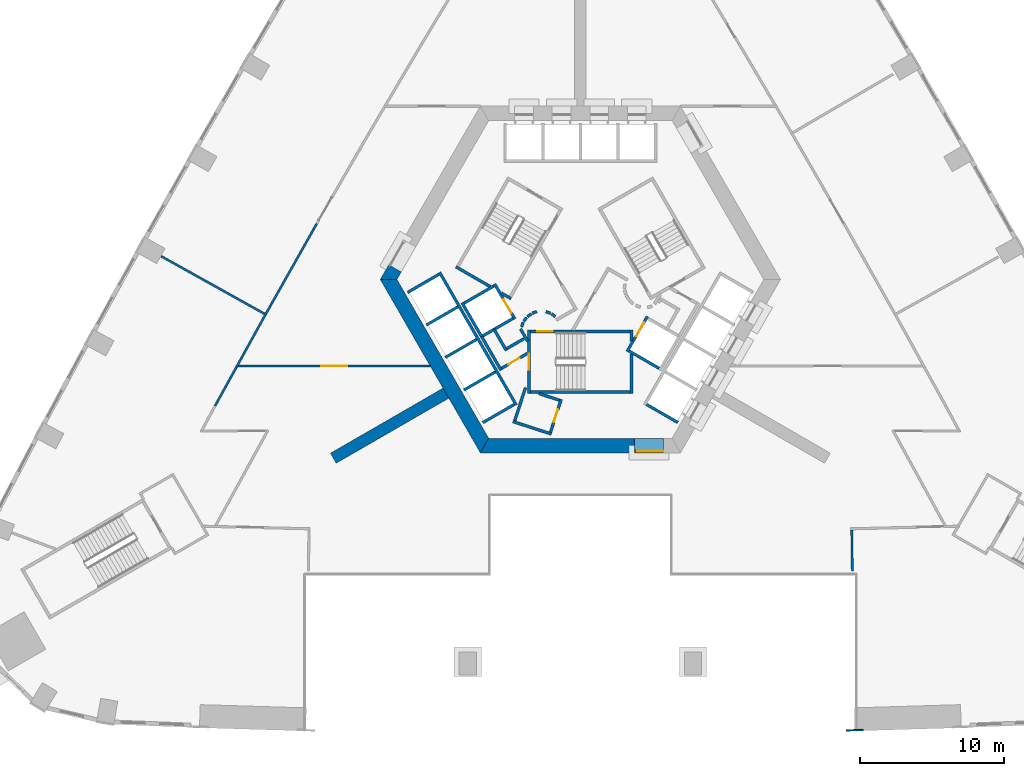
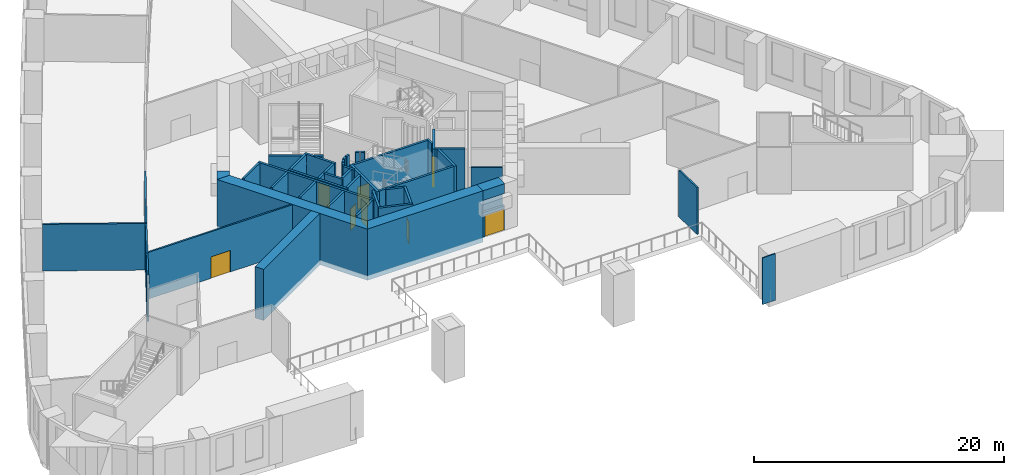
# One storey, part 3 of 16: 48 walls, 8 doors, 8 openings.
"""IFC4 building model written with IfcOpenShell, lengths in metres."""

from ifc_helpers import new_model, si_unit, direction, frame, frame_2d, origin, place, context, subcontext, project, spatial, polyline, rectangle, outline, extrude, material, layer, layer_set, type_object, element, fill, save


model = new_model("IFC4")

# Units and contexts
model_context = context("Model", 3, precision=1e-05, world=origin(), true_north=direction((0.0, 1.0)))
body_context = subcontext(model_context, "Body", "Model", "MODEL_VIEW")
ifc_project = project(units=[si_unit("LENGTHUNIT", "METRE"), si_unit("AREAUNIT", "SQUARE_METRE"), si_unit("VOLUMEUNIT", "CUBIC_METRE"), si_unit("PLANEANGLEUNIT", "RADIAN"), si_unit("MASSUNIT", "GRAM", prefix="KILO")], contexts=[model_context])

# Site, building, storey
site_placement = place(None, origin())
site = spatial("IfcSite", under=ifc_project, at=site_placement, CompositionType="ELEMENT")
building_placement = place(site_placement, origin())
building = spatial("IfcBuilding", under=site, at=building_placement, Name="Entoto Arch Interchange Tower", CompositionType="ELEMENT")
storey_placement = place(building_placement, frame((0.0, 0.0, 25.0)))
storey = spatial("IfcBuildingStorey", under=building, at=storey_placement, Name="L04", CompositionType="ELEMENT", Elevation=25.0)

# Wall
ifc_material_1 = material(Name="Concrete C60/75", Category="concrete")
ifc_layer_1 = layer(ifc_material_1, 0.800048828125)
ifc_layer_set_1 = layer_set([ifc_layer_1], Name="Concrete C60/75")
wall_type_1 = type_object("IfcWallType", Name="Buttress wall 800 C60/75", PredefinedType="SHEAR", material=ifc_layer_set_1)
wall_1_placement = place(storey_placement, frame((-9.31005859375, -5.375, -0.449951171875), z_axis=(0.0, 0.0, 1.0), x_axis=(-0.866017533419, -0.500013631625, 0.0)))
element("IfcWall", 1, at=wall_1_placement, inside=storey, type_object=wall_type_1, Name="Buttress wall SW L04", PredefinedType="SHEAR", context=body_context, shape_type="SweptSolid", body=[
    extrude(rectangle(XDim=8.999755859375, YDim=0.800048828125, at=frame_2d((4.5, 0.0))), origin(), (0.0, 0.0, 1.0), 5.0),
])

# Wall, opening, door
ifc_material_2 = material(Name="Reinforced concrete C40/50", Category="concrete")
ifc_layer_2 = layer(ifc_material_2, 0.199951171875)
ifc_layer_set_2 = layer_set([ifc_layer_2], Name="Reinforced concrete C40/50")
wall_type_2 = type_object("IfcWallType", Name="CORE GAP INFILL WALL", PredefinedType="PARTITIONING", material=ifc_layer_set_2)
wall_2_placement = place(storey_placement, frame((3.75, -9.39990234375, 0.0), z_axis=(0.0, 0.0, 1.0), x_axis=(1.0, 0.0, 0.0)))
wall_2 = element("IfcWall", 2, at=wall_2_placement, inside=storey, type_object=wall_type_2, Name="wall:L04:gap1", PredefinedType="PARTITIONING", context=body_context, shape_type="SweptSolid", body=[
    extrude(rectangle(XDim=2.0, YDim=0.199951171875, at=frame_2d((1.0, 0.0))), origin(), (0.0, 0.0, 1.0), 2.39990234375),
])
opening_1_placement = place(wall_2_placement, frame((0.18994140625, 0.0, 0.0)))
opening_1 = element("IfcOpeningElement", 3, at=opening_1_placement, cuts=wall_2, Name="Opening L04-D91", PredefinedType="OPENING", context=body_context, shape_type="SweptSolid", body=[
    extrude(rectangle(XDim=1.800048828125, YDim=2.10009765625, at=frame_2d((0.89990234375, 1.050048828125))), frame((0.0, 0.10986328125, 0.0), z_axis=(0.0, -1.0, 0.0), x_axis=(1.0, 0.0, 0.0)), (0.0, 0.0, 1.0), 0.219970703125),
])
ifc_material_3 = material(Name="Fire-rated Steel S235 door and frame", Category="steel")
door_type_1 = type_object("IfcDoorType", Name="DOOR FD-18 1800x2100", OperationType="DOUBLE_DOOR_SINGLE_SWING", PredefinedType="DOOR", material=ifc_material_3)
door_1_placement = place(opening_1_placement, origin())
door_1 = element("IfcDoor", 4, at=door_1_placement, inside=storey, type_object=door_type_1, Name="door:L04:gap1", OperationType="DOUBLE_DOOR_SINGLE_SWING", OverallHeight=2.10009765625, OverallWidth=1.800048828125, PredefinedType="DOOR", context=body_context, shape_type="SweptSolid", body=[
    extrude(rectangle(XDim=1.800048828125, YDim=2.10009765625, at=frame_2d((0.89990234375, 1.050048828125))), frame((0.0, 0.02490234375, 0.0), z_axis=(0.0, -1.0, 0.0), x_axis=(1.0, 0.0, 0.0)), (0.0, 0.0, 1.0), 0.050048828125),
])
fill(opening_1, door_1)

# Walls
ifc_layer_3 = layer(ifc_material_1, 1.0)
ifc_layer_set_3 = layer_set([ifc_layer_3], Name="Concrete C60/75")
wall_type_3 = type_object("IfcWallType", Name="Core wall 1000 C60/75", PredefinedType="SHEAR", material=ifc_layer_set_3)
wall_3_placement = place(storey_placement, frame((0.0, 0.0, -0.449951171875)))
element("IfcWall", 5, at=wall_3_placement, inside=storey, type_object=wall_type_3, Name="Core wall NW L04", PredefinedType="SHEAR", context=body_context, shape_type="SweptSolid", body=[
    extrude(outline(polyline([(-12.402099609375, 3.02001953125), (-13.26708984375, 3.52001953125), (-13.85595703125, 2.5), (-12.701904296875, 2.5), (-12.402099609375, 3.02001953125)])), origin(), (0.0, 0.0, 1.0), 5.0),
])
wall_4_placement = place(storey_placement, frame((0.0, 0.0, -0.449951171875)))
element("IfcWall", 6, at=wall_4_placement, inside=storey, type_object=wall_type_3, Name="Core wall SW L04", PredefinedType="SHEAR", context=body_context, shape_type="SweptSolid", body=[
    extrude(outline(polyline([(-13.85595703125, 2.5), (-6.927978515625, -9.5), (-6.35107421875, -8.5), (-12.701904296875, 2.5), (-13.85595703125, 2.5)])), origin(), (0.0, 0.0, 1.0), 5.0),
])
wall_5_placement = place(storey_placement, frame((0.0, 0.0, -0.449951171875)))
element("IfcWall", 7, at=wall_5_placement, inside=storey, type_object=wall_type_3, Name="Core wall S L04", PredefinedType="SHEAR", context=body_context, shape_type="SweptSolid", body=[
    extrude(outline(polyline([(3.75, -9.5), (3.75, -8.5), (-6.35107421875, -8.5), (-6.927978515625, -9.5), (3.75, -9.5)])), origin(), (0.0, 0.0, 1.0), 5.0),
])
wall_6_placement = place(storey_placement, frame((0.0, 0.0, 3.60009765625)))
element("IfcWall", 8, at=wall_6_placement, inside=storey, type_object=wall_type_3, Name="Core wall lintel S L04", PredefinedType="SHEAR", context=body_context, shape_type="SweptSolid", body=[
    extrude(outline(polyline([(5.75, -9.5), (5.75, -8.5), (3.75, -8.5), (3.75, -9.5), (5.75, -9.5)])), origin(), (0.0, 0.0, 1.0), 0.949951171875),
])

# Wall, opening, door
ifc_material_4 = material(Name="Concrete C40/50", Category="concrete")
ifc_layer_4 = layer(ifc_material_4, 0.199951171875)
ifc_layer_set_4 = layer_set([ifc_layer_4], Name="Concrete C40/50")
wall_type_4 = type_object("IfcWallType", Name="LIFT SHAFT WALL 200", PredefinedType="STANDARD", material=ifc_layer_set_4)
wall_7_placement = place(storey_placement, frame((-5.93994140625, 2.18798828125, 0.0), z_axis=(0.0, 0.0, 1.0), x_axis=(0.49994636267, -0.866056369097, 0.0)))
wall_7 = element("IfcWall", 9, at=wall_7_placement, inside=storey, type_object=wall_type_4, Name="Shaft wall SW1 front", PredefinedType="STANDARD", context=body_context, shape_type="SweptSolid", body=[
    extrude(rectangle(XDim=2.800048828125, YDim=0.199951171875, at=frame_2d((1.39990234375, 0.0))), origin(), (0.0, 0.0, 1.0), 4.550048828125),
])
opening_2_placement = place(wall_7_placement, frame((1.22509765625, 0.0, 0.0)))
opening_2 = element("IfcOpeningElement", 10, at=opening_2_placement, cuts=wall_7, Name="Opening LD-FF2-L04", PredefinedType="OPENING", context=body_context, shape_type="SweptSolid", body=[
    extrude(rectangle(XDim=1.10009765625, YDim=2.10009765625, at=frame_2d((0.550048828125, 1.050048828125))), frame((0.0, 0.10986328125, 0.0), z_axis=(0.0, -1.0, 0.0), x_axis=(1.0, 0.0, 0.0)), (0.0, 0.0, 1.0), 0.219970703125),
])
ifc_material_5 = material(Name="Stainless steel 1.4301 panels", Category="steel")
door_type_2 = type_object("IfcDoorType", Name="LIFT LANDING DOOR LD1 1100x2100", OperationType="SLIDING_TO_LEFT", PredefinedType="DOOR", material=ifc_material_5)
door_2_placement = place(opening_2_placement, origin())
door_2 = element("IfcDoor", 11, at=door_2_placement, inside=storey, type_object=door_type_2, Name="Lift landing door FF2 L04", OperationType="SLIDING_TO_LEFT", OverallHeight=2.10009765625, OverallWidth=1.10009765625, PredefinedType="DOOR", context=body_context, shape_type="SweptSolid", body=[
    extrude(rectangle(XDim=1.10009765625, YDim=2.10009765625, at=frame_2d((0.550048828125, 1.050048828125))), frame((0.0, 0.02490234375, 0.0), z_axis=(0.0, -1.0, 0.0), x_axis=(1.0, 0.0, 0.0)), (0.0, 0.0, 1.0), 0.050048828125),
])
fill(opening_2, door_2)

# Walls
wall_8_placement = place(storey_placement, frame((-8.19189453125, 0.887939453125, 0.0), z_axis=(0.0, 0.0, 1.0), x_axis=(0.49994636267, -0.866056369097, 0.0)))
element("IfcWall", 12, at=wall_8_placement, inside=storey, type_object=wall_type_4, Name="Shaft wall SW1 back", PredefinedType="STANDARD", context=body_context, shape_type="SweptSolid", body=[
    extrude(rectangle(XDim=2.800048828125, YDim=0.199951171875, at=frame_2d((1.39990234375, 0.0))), origin(), (0.0, 0.0, 1.0), 4.550048828125),
])
for number, where, z_axis, x_axis, name in (
    (13, (-5.97705078125, 2.052001953125, 0.0), (0.0, 0.0, 1.0), (-0.865973769406, -0.500089422704, 0.0), "Shaft wall SW1 cross 1"),
    (14, (-4.677001953125, -0.199951171875, 0.0), (0.0, 0.0, 1.0), (-0.865973769406, -0.500089422704, 0.0), "Shaft wall SW1 cross 2"),
):
    element("IfcWall", number, at=place(storey_placement, frame(where, z_axis=z_axis, x_axis=x_axis)), inside=storey, type_object=wall_type_4, Name=name, PredefinedType="STANDARD", context=body_context, shape_type="SweptSolid", body=[
        extrude(rectangle(XDim=2.3994140625, YDim=0.199951171875, at=frame_2d((1.19970703125, 0.0))), origin(), (0.0, 0.0, 1.0), 4.550048828125),
    ])
wall_9_placement = place(storey_placement, frame((-9.7509765625, 2.989990234375, 0.0), z_axis=(0.0, 0.0, 1.0), x_axis=(0.50000090737, -0.866024879913, 0.0)))
element("IfcWall", 15, at=wall_9_placement, inside=storey, type_object=wall_type_4, Name="Shaft wall SW3 front", PredefinedType="STANDARD", context=body_context, shape_type="SweptSolid", body=[
    extrude(rectangle(XDim=10.60009765625, YDim=0.199951171875, at=frame_2d((5.300048828125, 0.0))), origin(), (0.0, 0.0, 1.0), 4.550048828125),
])
wall_10_placement = place(storey_placement, frame((-9.7880859375, 2.85302734375, 0.0), z_axis=(0.0, 0.0, 1.0), x_axis=(-0.865998541277, -0.500046524342, 0.0)))
element("IfcWall", 16, at=wall_10_placement, inside=storey, type_object=wall_type_4, Name="Shaft wall SW3 cross 1", PredefinedType="STANDARD", context=body_context, shape_type="SweptSolid", body=[
    extrude(rectangle(XDim=2.499755859375, YDim=0.199951171875, at=frame_2d((1.25, 0.0))), origin(), (0.0, 0.0, 1.0), 4.550048828125),
])
for number, where, z_axis, x_axis, name in (
    (17, (-8.488037109375, 0.60205078125, 0.0), (0.0, 0.0, 1.0), (-0.866022959057, -0.500004234368, 0.0), "Shaft wall SW3 cross 2"),
    (18, (-7.18798828125, -1.64990234375, 0.0), (0.0, 0.0, 1.0), (-0.866022959057, -0.500004234368, 0.0), "Shaft wall SW3 cross 3"),
    (19, (-5.887939453125, -3.902099609375, 0.0), (0.0, 0.0, 1.0), (-0.866022959057, -0.500004234368, 0.0), "Shaft wall SW3 cross 4"),
    (20, (-4.587890625, -6.153076171875, 0.0), (0.0, 0.0, 1.0), (-0.866022959057, -0.500004234368, 0.0), "Shaft wall SW3 cross 5"),
):
    element("IfcWall", number, at=place(storey_placement, frame(where, z_axis=z_axis, x_axis=x_axis)), inside=storey, type_object=wall_type_4, Name=name, PredefinedType="STANDARD", context=body_context, shape_type="SweptSolid", body=[
        extrude(rectangle(XDim=2.5, YDim=0.199951171875, at=frame_2d((1.25, 0.0))), origin(), (0.0, 0.0, 1.0), 4.550048828125),
    ])

# Wall, opening, door
wall_11_placement = place(storey_placement, frame((3.239990234375, -2.488037109375, 0.0), z_axis=(0.0, 0.0, 1.0), x_axis=(0.49994636267, 0.866056369097, 0.0)))
wall_11 = element("IfcWall", 21, at=wall_11_placement, inside=storey, type_object=wall_type_4, Name="Shaft wall SE1 front", PredefinedType="STANDARD", context=body_context, shape_type="SweptSolid", body=[
    extrude(rectangle(XDim=2.800048828125, YDim=0.199951171875, at=frame_2d((1.39990234375, 0.0))), origin(), (0.0, 0.0, 1.0), 4.550048828125),
])
opening_3_placement = place(wall_11_placement, frame((1.22509765625, 0.0, 0.0)))
opening_3 = element("IfcOpeningElement", 22, at=opening_3_placement, cuts=wall_11, Name="Opening LD-FF1-L04", PredefinedType="OPENING", context=body_context, shape_type="SweptSolid", body=[
    extrude(rectangle(XDim=1.10009765625, YDim=2.10009765625, at=frame_2d((0.550048828125, 1.050048828125))), frame((0.0, 0.10986328125, 0.0), z_axis=(0.0, -1.0, 0.0), x_axis=(1.0, 0.0, 0.0)), (0.0, 0.0, 1.0), 0.219970703125),
])
door_3_placement = place(opening_3_placement, origin())
door_3 = element("IfcDoor", 23, at=door_3_placement, inside=storey, type_object=door_type_2, Name="Lift landing door FF1 L04", OperationType="SLIDING_TO_LEFT", OverallHeight=2.10009765625, OverallWidth=1.10009765625, PredefinedType="DOOR", context=body_context, shape_type="SweptSolid", body=[
    extrude(rectangle(XDim=1.10009765625, YDim=2.10009765625, at=frame_2d((0.550048828125, 1.050048828125))), frame((0.0, 0.02490234375, 0.0), z_axis=(0.0, -1.0, 0.0), x_axis=(1.0, 0.0, 0.0)), (0.0, 0.0, 1.0), 0.050048828125),
])
fill(opening_3, door_3)

# Walls
wall_12_placement = place(storey_placement, frame((3.376953125, -2.451904296875, 0.0), z_axis=(0.0, 0.0, 1.0), x_axis=(0.865955154139, -0.50012165622, 0.0)))
element("IfcWall", 24, at=wall_12_placement, inside=storey, type_object=wall_type_4, Name="Shaft wall SE1 cross 1", PredefinedType="STANDARD", context=body_context, shape_type="SweptSolid", body=[
    extrude(rectangle(XDim=2.39990234375, YDim=0.199951171875, at=frame_2d((1.199951171875, 0.0))), origin(), (0.0, 0.0, 1.0), 4.550048828125),
])
wall_13_placement = place(storey_placement, frame((4.587890625, -6.153076171875, 0.0), z_axis=(0.0, 0.0, 1.0), x_axis=(0.866022959057, -0.500004234368, 0.0)))
element("IfcWall", 25, at=wall_13_placement, inside=storey, type_object=wall_type_4, Name="Shaft wall SE3 cross 1", PredefinedType="STANDARD", context=body_context, shape_type="SweptSolid", body=[
    extrude(rectangle(XDim=2.5, YDim=0.199951171875, at=frame_2d((1.25, 0.0))), origin(), (0.0, 0.0, 1.0), 4.550048828125),
])
ifc_material_6 = material(Name="Gypsum board partition on steel studs", Category="steel")
ifc_layer_5 = layer(ifc_material_6, 0.14990234375)
ifc_layer_set_5 = layer_set([ifc_layer_5], Name="Gypsum board partition on steel studs")
wall_type_5 = type_object("IfcWallType", Name="PARTITION 150", PredefinedType="PARTITIONING", material=ifc_layer_set_5)
wall_14_placement = place(storey_placement, frame((18.833984375, -17.699951171875, 0.0), z_axis=(0.0, 0.0, 1.0), x_axis=(-0.015017934076, 0.999887224469, 0.0)))
element("IfcWall", 26, at=wall_14_placement, inside=storey, type_object=wall_type_5, Name="wall:L04:p043", PredefinedType="PARTITIONING", context=body_context, shape_type="SweptSolid", body=[
    extrude(rectangle(XDim=2.861083984375, YDim=0.14990234375, at=frame_2d((1.4306640625, 0.0))), origin(), (0.0, 0.0, 1.0), 4.550048828125),
])
wall_15_placement = place(storey_placement, frame((-21.735107421875, 0.0439453125, 0.0), z_axis=(0.0, 0.0, 1.0), x_axis=(-0.873435565137, 0.486939743248, 0.0)))
element("IfcWall", 27, at=wall_15_placement, inside=storey, type_object=wall_type_5, Name="wall:L04:p070", PredefinedType="PARTITIONING", context=body_context, shape_type="SweptSolid", body=[
    extrude(rectangle(XDim=8.3564453125, YDim=0.14990234375, at=frame_2d((4.17822265625, 0.0))), origin(), (0.0, 0.0, 1.0), 4.550048828125),
])
wall_16_placement = place(storey_placement, frame((-18.251953125, 6.367919921875, 0.0), z_axis=(0.0, 0.0, 1.0), x_axis=(-0.491550482328, -0.87084908183, 0.0)))
element("IfcWall", 28, at=wall_16_placement, inside=storey, type_object=wall_type_5, Name="wall:L04:p073", PredefinedType="PARTITIONING", context=body_context, shape_type="SweptSolid", body=[
    extrude(rectangle(XDim=7.144775390625, YDim=0.14990234375, at=frame_2d((3.572265625, 0.0))), origin(), (0.0, 0.0, 1.0), 4.550048828125),
])
wall_17_placement = place(storey_placement, frame((-25.2939453125, -6.248046875, 0.0), z_axis=(0.0, 0.0, 1.0), x_axis=(0.483368016909, 0.875417249219, 0.0)))
element("IfcWall", 29, at=wall_17_placement, inside=storey, type_object=wall_type_5, Name="wall:L04:p082", PredefinedType="PARTITIONING", context=body_context, shape_type="SweptSolid", body=[
    extrude(rectangle(XDim=3.063720703125, YDim=0.14990234375, at=frame_2d((1.53173828125, 0.0))), origin(), (0.0, 0.0, 1.0), 4.550048828125),
])
wall_18_placement = place(storey_placement, frame((-21.840087890625, 0.010009765625, 0.0), z_axis=(0.0, 0.0, 1.0), x_axis=(-0.483357057036, -0.875423300703, 0.0)))
element("IfcWall", 30, at=wall_18_placement, inside=storey, type_object=wall_type_5, Name="wall:L04:p083", PredefinedType="PARTITIONING", context=body_context, shape_type="SweptSolid", body=[
    extrude(rectangle(XDim=4.083740234375, YDim=0.14990234375, at=frame_2d((2.0419921875, 0.0))), origin(), (0.0, 0.0, 1.0), 4.550048828125),
])

# Wall, opening, door
wall_19_placement = place(storey_placement, frame((-23.777099609375, -3.5, 0.0), z_axis=(0.0, 0.0, 1.0), x_axis=(1.0, 0.0, 0.0)))
wall_19 = element("IfcWall", 31, at=wall_19_placement, inside=storey, type_object=wall_type_5, Name="wall:L04:p085", PredefinedType="PARTITIONING", context=body_context, shape_type="SweptSolid", body=[
    extrude(rectangle(XDim=13.385009765625, YDim=0.14990234375, at=frame_2d((6.6923828125, 0.0))), origin(), (0.0, 0.0, 1.0), 4.550048828125),
])
opening_4_placement = place(wall_19_placement, frame((5.830078125, 0.0, 0.0)))
opening_4 = element("IfcOpeningElement", 32, at=opening_4_placement, cuts=wall_19, Name="Opening L04-D02", PredefinedType="OPENING", context=body_context, shape_type="SweptSolid", body=[
    extrude(rectangle(XDim=1.800048828125, YDim=2.10009765625, at=frame_2d((0.89990234375, 1.050048828125))), frame((0.0, 0.0849609375, 0.0), z_axis=(0.0, -1.0, 0.0), x_axis=(1.0, 0.0, 0.0)), (0.0, 0.0, 1.0), 0.169921875),
])
door_4_placement = place(opening_4_placement, origin())
door_4 = element("IfcDoor", 33, at=door_4_placement, inside=storey, type_object=door_type_1, Name="door:L04:02", OperationType="DOUBLE_DOOR_SINGLE_SWING", OverallHeight=2.10009765625, OverallWidth=1.800048828125, PredefinedType="DOOR", context=body_context, shape_type="SweptSolid", body=[
    extrude(rectangle(XDim=1.800048828125, YDim=2.10009765625, at=frame_2d((0.89990234375, 1.050048828125))), frame((0.0, 0.02490234375, 0.0), z_axis=(0.0, -1.0, 0.0), x_axis=(1.0, 0.0, 0.0)), (0.0, 0.0, 1.0), 0.050048828125),
])
fill(opening_4, door_4)

# Walls
ifc_layer_6 = layer(ifc_material_6, 0.199951171875)
ifc_layer_set_6 = layer_set([ifc_layer_6], Name="Gypsum board partition on steel studs")
wall_type_6 = type_object("IfcWallType", Name="PARTITION 200", PredefinedType="PARTITIONING", material=ifc_layer_set_6)
wall_20_placement = place(storey_placement, frame((-3.89990234375, -1.59912109375, 0.0), z_axis=(0.0, 0.0, 1.0), x_axis=(-0.865969445389, -0.500096910261, 0.0)))
element("IfcWall", 34, at=wall_20_placement, inside=storey, type_object=wall_type_6, Name="wall:L04:p007", PredefinedType="PARTITIONING", context=body_context, shape_type="SweptSolid", body=[
    extrude(rectangle(XDim=1.373291015625, YDim=0.199951171875, at=frame_2d((0.6865234375, 0.0))), origin(), (0.0, 0.0, 1.0), 4.550048828125),
])
wall_21_placement = place(storey_placement, frame((-5.1259765625, -2.422119140625, 0.0), z_axis=(0.0, 0.0, 1.0), x_axis=(-0.500062241894, 0.865989465428, 0.0)))
element("IfcWall", 35, at=wall_21_placement, inside=storey, type_object=wall_type_6, Name="wall:L04:p008", PredefinedType="PARTITIONING", context=body_context, shape_type="SweptSolid", body=[
    extrude(rectangle(XDim=1.699951171875, YDim=0.199951171875, at=frame_2d((0.85009765625, 0.0))), origin(), (0.0, 0.0, 1.0), 4.550048828125),
])
wall_22_placement = place(storey_placement, frame((-5.491943359375, -3.7880859375, 0.0), z_axis=(0.0, 0.0, 1.0), x_axis=(-0.500008949224, 0.866020236886, 0.0)))
element("IfcWall", 36, at=wall_22_placement, inside=storey, type_object=wall_type_6, Name="wall:L04:p009", PredefinedType="PARTITIONING", context=body_context, shape_type="SweptSolid", body=[
    extrude(rectangle(XDim=2.68017578125, YDim=0.199951171875, at=frame_2d((1.340087890625, 0.0))), origin(), (0.0, 0.0, 1.0), 4.550048828125),
])
wall_23_placement = place(storey_placement, frame((-4.14501953125, -0.919921875, 0.0), z_axis=(0.0, 0.0, 1.0), x_axis=(0.499743786207, -0.866173278362, 0.0)))
element("IfcWall", 37, at=wall_23_placement, inside=storey, type_object=wall_type_6, Name="wall:L04:p010", PredefinedType="PARTITIONING", context=body_context, shape_type="SweptSolid", body=[
    extrude(rectangle(XDim=0.99072265625, YDim=0.199951171875, at=frame_2d((0.495361328125, 0.0))), origin(), (0.0, 0.0, 1.0), 4.550048828125),
])

# Wall, opening, door
wall_24_placement = place(storey_placement, frame((-3.64990234375, -2.610107421875, 0.0), z_axis=(0.0, 0.0, 1.0), x_axis=(-0.866072462134, -0.499918483688, 0.0)))
wall_24 = element("IfcWall", 38, at=wall_24_placement, inside=storey, type_object=wall_type_6, Name="wall:L04:p011", PredefinedType="PARTITIONING", context=body_context, shape_type="SweptSolid", body=[
    extrude(rectangle(XDim=2.084228515625, YDim=0.199951171875, at=frame_2d((1.0419921875, 0.0))), origin(), (0.0, 0.0, 1.0), 4.550048828125),
])
opening_5_placement = place(wall_24_placement, frame((0.64208984375, 0.0, 0.0)))
opening_5 = element("IfcOpeningElement", 39, at=opening_5_placement, cuts=wall_24, Name="Opening L04-D17", PredefinedType="OPENING", context=body_context, shape_type="SweptSolid", body=[
    extrude(rectangle(XDim=0.89990234375, YDim=2.10009765625, at=frame_2d((0.449951171875, 1.050048828125))), frame((0.0, 0.10986328125, 0.0), z_axis=(0.0, -1.0, 0.0), x_axis=(1.0, 0.0, 0.0)), (0.0, 0.0, 1.0), 0.219970703125),
])
ifc_material_7 = material(Name="Timber door leaf in Steel S235 frame", Category="steel")
door_type_3 = type_object("IfcDoorType", Name="DOOR DS-09 900x2100", OperationType="SINGLE_SWING_LEFT", PredefinedType="DOOR", material=ifc_material_7)
door_5_placement = place(opening_5_placement, origin())
door_5 = element("IfcDoor", 40, at=door_5_placement, inside=storey, type_object=door_type_3, Name="door:L04:17", OperationType="SINGLE_SWING_LEFT", OverallHeight=2.10009765625, OverallWidth=0.89990234375, PredefinedType="DOOR", context=body_context, shape_type="SweptSolid", body=[
    extrude(rectangle(XDim=0.89990234375, YDim=2.10009765625, at=frame_2d((0.449951171875, 1.050048828125))), frame((0.0, 0.02490234375, 0.0), z_axis=(0.0, -1.0, 0.0), x_axis=(1.0, 0.0, 0.0)), (0.0, 0.0, 1.0), 0.050048828125),
])
fill(opening_5, door_5)

# Walls
wall_25_placement = place(storey_placement, frame((-3.801025390625, -4.991943359375, 0.0), z_axis=(0.0, 0.0, 1.0), x_axis=(-0.309079173229, -0.951036310914, 0.0)))
element("IfcWall", 41, at=wall_25_placement, inside=storey, type_object=wall_type_6, Name="wall:L04:p012", PredefinedType="PARTITIONING", context=body_context, shape_type="SweptSolid", body=[
    extrude(rectangle(XDim=2.400390625, YDim=0.199951171875, at=frame_2d((1.2001953125, 0.0))), origin(), (0.0, 0.0, 1.0), 4.550048828125),
])
wall_26_placement = place(storey_placement, frame((-4.6689453125, -7.339111328125, 0.0), z_axis=(0.0, 0.0, 1.0), x_axis=(0.951079555704, -0.308946077369, 0.0)))
element("IfcWall", 42, at=wall_26_placement, inside=storey, type_object=wall_type_6, Name="wall:L04:p013", PredefinedType="PARTITIONING", context=body_context, shape_type="SweptSolid", body=[
    extrude(rectangle(XDim=2.7998046875, YDim=0.199951171875, at=frame_2d((1.39990234375, 0.0))), origin(), (0.0, 0.0, 1.0), 4.550048828125),
])

# Wall, opening, door
wall_27_placement = place(storey_placement, frame((-2.070068359375, -8.077880859375, 0.0), z_axis=(0.0, 0.0, 1.0), x_axis=(0.309171157328, 0.951006411901, 0.0)))
wall_27 = element("IfcWall", 43, at=wall_27_placement, inside=storey, type_object=wall_type_6, Name="wall:L04:p014", PredefinedType="PARTITIONING", context=body_context, shape_type="SweptSolid", body=[
    extrude(rectangle(XDim=2.400634765625, YDim=0.199951171875, at=frame_2d((1.2001953125, 0.0))), origin(), (0.0, 0.0, 1.0), 4.550048828125),
])
opening_6_placement = place(wall_27_placement, frame((0.75, 0.0, 0.0)))
opening_6 = element("IfcOpeningElement", 44, at=opening_6_placement, cuts=wall_27, Name="Opening L04-D18", PredefinedType="OPENING", context=body_context, shape_type="SweptSolid", body=[
    extrude(rectangle(XDim=0.89990234375, YDim=2.10009765625, at=frame_2d((0.449951171875, 1.050048828125))), frame((0.0, 0.10986328125, 0.0), z_axis=(0.0, -1.0, 0.0), x_axis=(1.0, 0.0, 0.0)), (0.0, 0.0, 1.0), 0.219970703125),
])
door_6_placement = place(opening_6_placement, origin())
door_6 = element("IfcDoor", 45, at=door_6_placement, inside=storey, type_object=door_type_3, Name="door:L04:18", OperationType="SINGLE_SWING_LEFT", OverallHeight=2.10009765625, OverallWidth=0.89990234375, PredefinedType="DOOR", context=body_context, shape_type="SweptSolid", body=[
    extrude(rectangle(XDim=0.89990234375, YDim=2.10009765625, at=frame_2d((0.449951171875, 1.050048828125))), frame((0.0, 0.02490234375, 0.0), z_axis=(0.0, -1.0, 0.0), x_axis=(1.0, 0.0, 0.0)), (0.0, 0.0, 1.0), 0.050048828125),
])
fill(opening_6, door_6)

# Walls
wall_28_placement = place(storey_placement, frame((-1.455078125, -5.860107421875, 0.0), z_axis=(0.0, 0.0, 1.0), x_axis=(-0.950892787506, 0.309520446287, 0.0)))
element("IfcWall", 46, at=wall_28_placement, inside=storey, type_object=wall_type_6, Name="wall:L04:p015", PredefinedType="PARTITIONING", context=body_context, shape_type="SweptSolid", body=[
    extrude(rectangle(XDim=1.48681640625, YDim=0.199951171875, at=frame_2d((0.743408203125, 0.0))), origin(), (0.0, 0.0, 1.0), 4.550048828125),
])
wall_29_placement = place(storey_placement, frame((-1.73095703125, -0.076904296875, 0.0), z_axis=(0.0, 0.0, 1.0), x_axis=(-0.804311165252, 0.594208338422, 0.0)))
element("IfcWall", 47, at=wall_29_placement, inside=storey, type_object=wall_type_6, Name="wall:L04:p025", PredefinedType="PARTITIONING", context=body_context, shape_type="SweptSolid", body=[
    extrude(rectangle(XDim=0.338134765625, YDim=0.199951171875, at=frame_2d((0.1689453125, 0.0))), origin(), (0.0, 0.0, 1.0), 4.550048828125),
])
wall_30_placement = place(storey_placement, frame((-2.070068359375, 0.159912109375, 0.0), z_axis=(0.0, 0.0, 1.0), x_axis=(-0.942199461132, 0.335052496547, 0.0)))
element("IfcWall", 48, at=wall_30_placement, inside=storey, type_object=wall_type_6, Name="wall:L04:p026", PredefinedType="PARTITIONING", context=body_context, shape_type="SweptSolid", body=[
    extrude(rectangle(XDim=0.33740234375, YDim=0.199951171875, at=frame_2d((0.168701171875, 0.0))), origin(), (0.0, 0.0, 1.0), 4.550048828125),
])
wall_31_placement = place(storey_placement, frame((-3.011962890625, 0.27294921875, 0.0), z_axis=(0.0, 0.0, 1.0), x_axis=(-0.942280615813, -0.334824194261, 0.0)))
element("IfcWall", 49, at=wall_31_placement, inside=storey, type_object=wall_type_6, Name="wall:L04:p027", PredefinedType="PARTITIONING", context=body_context, shape_type="SweptSolid", body=[
    extrude(rectangle(XDim=0.337646484375, YDim=0.199951171875, at=frame_2d((0.1689453125, 0.0))), origin(), (0.0, 0.0, 1.0), 4.550048828125),
])
wall_32_placement = place(storey_placement, frame((-3.39697265625, 0.1240234375, 0.0), z_axis=(0.0, 0.0, 1.0), x_axis=(-0.804311165252, -0.594208338422, 0.0)))
element("IfcWall", 50, at=wall_32_placement, inside=storey, type_object=wall_type_6, Name="wall:L04:p028", PredefinedType="PARTITIONING", context=body_context, shape_type="SweptSolid", body=[
    extrude(rectangle(XDim=0.338134765625, YDim=0.199951171875, at=frame_2d((0.1689453125, 0.0))), origin(), (0.0, 0.0, 1.0), 4.550048828125),
])
wall_33_placement = place(storey_placement, frame((-3.722900390625, -0.131103515625, 0.0), z_axis=(0.0, 0.0, 1.0), x_axis=(-0.594675113454, -0.803966112121, 0.0)))
element("IfcWall", 51, at=wall_33_placement, inside=storey, type_object=wall_type_6, Name="wall:L04:p029", PredefinedType="PARTITIONING", context=body_context, shape_type="SweptSolid", body=[
    extrude(rectangle(XDim=0.33837890625, YDim=0.199951171875, at=frame_2d((0.169189453125, 0.0))), origin(), (0.0, 0.0, 1.0), 4.550048828125),
])
wall_34_placement = place(storey_placement, frame((-3.9599609375, -0.469970703125, 0.0), z_axis=(0.0, 0.0, 1.0), x_axis=(-0.334824194261, -0.942280615813, 0.0)))
element("IfcWall", 52, at=wall_34_placement, inside=storey, type_object=wall_type_6, Name="wall:L04:p030", PredefinedType="PARTITIONING", context=body_context, shape_type="SweptSolid", body=[
    extrude(rectangle(XDim=0.337646484375, YDim=0.199951171875, at=frame_2d((0.1689453125, 0.0))), origin(), (0.0, 0.0, 1.0), 4.550048828125),
])

# Wall, opening, door
ifc_layer_7 = layer(ifc_material_4, 0.199951171875)
ifc_layer_set_7 = layer_set([ifc_layer_7], Name="Concrete C40/50")
wall_type_7 = type_object("IfcWallType", Name="STAIR ENCLOSURE WALL 200", PredefinedType="STANDARD", material=ifc_layer_set_7)
wall_35_placement = place(storey_placement, frame((-3.550048828125, -1.0, 0.0), z_axis=(0.0, 0.0, 1.0), x_axis=(0.0, -1.0, 0.0)))
wall_35 = element("IfcWall", 53, at=wall_35_placement, inside=storey, type_object=wall_type_7, Name="Stair wall ST-S near", PredefinedType="STANDARD", context=body_context, shape_type="SweptSolid", body=[
    extrude(rectangle(XDim=4.39990234375, YDim=0.199951171875, at=frame_2d((2.199951171875, 0.0))), origin(), (0.0, 0.0, 1.0), 4.550048828125),
])
opening_7_placement = place(wall_35_placement, frame((1.64990234375, 0.0, 0.0)))
opening_7 = element("IfcOpeningElement", 54, at=opening_7_placement, cuts=wall_35, Name="Opening SD-ST-S-L04-E", PredefinedType="OPENING", context=body_context, shape_type="SweptSolid", body=[
    extrude(rectangle(XDim=1.10009765625, YDim=2.199951171875, at=frame_2d((0.550048828125, 1.10009765625))), frame((0.0, 0.10986328125, 0.0), z_axis=(0.0, -1.0, 0.0), x_axis=(1.0, 0.0, 0.0)), (0.0, 0.0, 1.0), 0.219970703125),
])
ifc_material_8 = material(Name="Steel S235", Category="steel")
door_type_4 = type_object("IfcDoorType", Name="STAIR DOOR SD1 1100x2200", OperationType="SINGLE_SWING_LEFT", PredefinedType="DOOR", material=ifc_material_8)
door_7_placement = place(opening_7_placement, origin())
door_7 = element("IfcDoor", 55, at=door_7_placement, inside=storey, type_object=door_type_4, Name="Stair door ST-S L04 end", OperationType="SINGLE_SWING_LEFT", OverallHeight=2.199951171875, OverallWidth=1.10009765625, PredefinedType="DOOR", context=body_context, shape_type="SweptSolid", body=[
    extrude(rectangle(XDim=1.10009765625, YDim=2.199951171875, at=frame_2d((0.550048828125, 1.10009765625))), frame((0.0, 0.02490234375, 0.0), z_axis=(0.0, -1.0, 0.0), x_axis=(1.0, 0.0, 0.0)), (0.0, 0.0, 1.0), 0.050048828125),
])
fill(opening_7, door_7)

# Walls
wall_36_placement = place(storey_placement, frame((3.550048828125, -2.6669921875, 0.0), z_axis=(0.0, 0.0, 1.0), x_axis=(0.0, -1.0, 0.0)))
element("IfcWall", 56, at=wall_36_placement, inside=storey, type_object=wall_type_7, Name="Stair wall ST-S far", PredefinedType="STANDARD", context=body_context, shape_type="SweptSolid", body=[
    extrude(rectangle(XDim=2.73291015625, YDim=0.199951171875, at=frame_2d((1.366455078125, 0.0))), origin(), (0.0, 0.0, 1.0), 4.550048828125),
])
wall_37_placement = place(storey_placement, frame((3.550048828125, -1.0, 0.0), z_axis=(0.0, 0.0, 1.0), x_axis=(0.0, -1.0, 0.0)))
element("IfcWall", 57, at=wall_37_placement, inside=storey, type_object=wall_type_7, Name="Stair wall ST-S far return", PredefinedType="STANDARD", context=body_context, shape_type="SweptSolid", body=[
    extrude(rectangle(XDim=0.7509765625, YDim=0.199951171875, at=frame_2d((0.37548828125, 0.0))), origin(), (0.0, 0.0, 1.0), 4.550048828125),
])

# Wall, opening, door
wall_38_placement = place(storey_placement, frame((-3.449951171875, -1.10009765625, 0.0), z_axis=(0.0, 0.0, 1.0), x_axis=(1.0, 0.0, 0.0)))
wall_38 = element("IfcWall", 58, at=wall_38_placement, inside=storey, type_object=wall_type_7, Name="Stair wall ST-S hall", PredefinedType="STANDARD", context=body_context, shape_type="SweptSolid", body=[
    extrude(rectangle(XDim=6.89990234375, YDim=0.199951171875, at=frame_2d((3.449951171875, 0.0))), origin(), (0.0, 0.0, 1.0), 4.550048828125),
])
opening_8_placement = place(wall_38_placement, frame((0.449951171875, 0.0, 0.0)))
opening_8 = element("IfcOpeningElement", 59, at=opening_8_placement, cuts=wall_38, Name="Opening SD-ST-S-L04", PredefinedType="OPENING", context=body_context, shape_type="SweptSolid", body=[
    extrude(rectangle(XDim=1.10009765625, YDim=2.199951171875, at=frame_2d((0.550048828125, 1.10009765625))), frame((0.0, 0.10986328125, 0.0), z_axis=(0.0, -1.0, 0.0), x_axis=(1.0, 0.0, 0.0)), (0.0, 0.0, 1.0), 0.219970703125),
])
door_8_placement = place(opening_8_placement, origin())
door_8 = element("IfcDoor", 60, at=door_8_placement, inside=storey, type_object=door_type_4, Name="Stair door ST-S L04", OperationType="SINGLE_SWING_LEFT", OverallHeight=2.199951171875, OverallWidth=1.10009765625, PredefinedType="DOOR", context=body_context, shape_type="SweptSolid", body=[
    extrude(rectangle(XDim=1.10009765625, YDim=2.199951171875, at=frame_2d((0.550048828125, 1.10009765625))), frame((0.0, 0.02490234375, 0.0), z_axis=(0.0, -1.0, 0.0), x_axis=(1.0, 0.0, 0.0)), (0.0, 0.0, 1.0), 0.050048828125),
])
fill(opening_8, door_8)

# Walls
wall_39_placement = place(storey_placement, frame((-3.449951171875, -5.300048828125, 0.0), z_axis=(0.0, 0.0, 1.0), x_axis=(1.0, 0.0, 0.0)))
element("IfcWall", 61, at=wall_39_placement, inside=storey, type_object=wall_type_7, Name="Stair wall ST-S back", PredefinedType="STANDARD", context=body_context, shape_type="SweptSolid", body=[
    extrude(rectangle(XDim=6.89990234375, YDim=0.199951171875, at=frame_2d((3.449951171875, 0.0))), origin(), (0.0, 0.0, 1.0), 4.550048828125),
])
wall_40_placement = place(storey_placement, frame((-6.25, 2.010009765625, 0.0), z_axis=(0.0, 0.0, 1.0), x_axis=(-0.86611865017, 0.499838457731, 0.0)))
element("IfcWall", 62, at=wall_40_placement, inside=storey, type_object=wall_type_7, Name="Stair wall ST-NW far", PredefinedType="STANDARD", context=body_context, shape_type="SweptSolid", body=[
    extrude(rectangle(XDim=2.73291015625, YDim=0.199951171875, at=frame_2d((1.366455078125, 0.0))), origin(), (0.0, 0.0, 1.0), 4.550048828125),
])
wall_41_placement = place(storey_placement, frame((-4.805908203125, 1.176025390625, 0.0), z_axis=(0.0, 0.0, 1.0), x_axis=(-0.866558586415, 0.499075361355, 0.0)))
element("IfcWall", 63, at=wall_41_placement, inside=storey, type_object=wall_type_7, Name="Stair wall ST-NW far return", PredefinedType="STANDARD", context=body_context, shape_type="SweptSolid", body=[
    extrude(rectangle(XDim=0.75146484375, YDim=0.199951171875, at=frame_2d((0.375732421875, 0.0))), origin(), (0.0, 0.0, 1.0), 4.550048828125),
])
ifc_material_9 = material(Name="Welded tuff (ignimbrite) cladding, warm buff", Category="masonry")
ifc_layer_8 = layer(ifc_material_9, 0.10009765625)
ifc_layer_set_8 = layer_set([ifc_layer_8], Name="Welded tuff (ignimbrite) cladding, warm buff")
wall_type_8 = type_object("IfcWallType", Name="STONE PIER CLADDING 100", PredefinedType="STANDARD", material=ifc_layer_set_8)
wall_42_placement = place(storey_placement, frame((18.39892578125, -28.720947265625, 0.0), z_axis=(0.0, 0.0, 1.0), x_axis=(0.999886724523, 0.015051183404, 0.0)))
element("IfcWall", 64, at=wall_42_placement, inside=storey, type_object=wall_type_8, Name="Stone pier S04 L04", PredefinedType="STANDARD", context=body_context, shape_type="SweptSolid", body=[
    extrude(rectangle(XDim=1.200439453125, YDim=0.10009765625, at=frame_2d((0.60009765625, 0.0))), origin(), (0.0, 0.0, 1.0), 4.550048828125),
])

save(model, "model.ifc")
